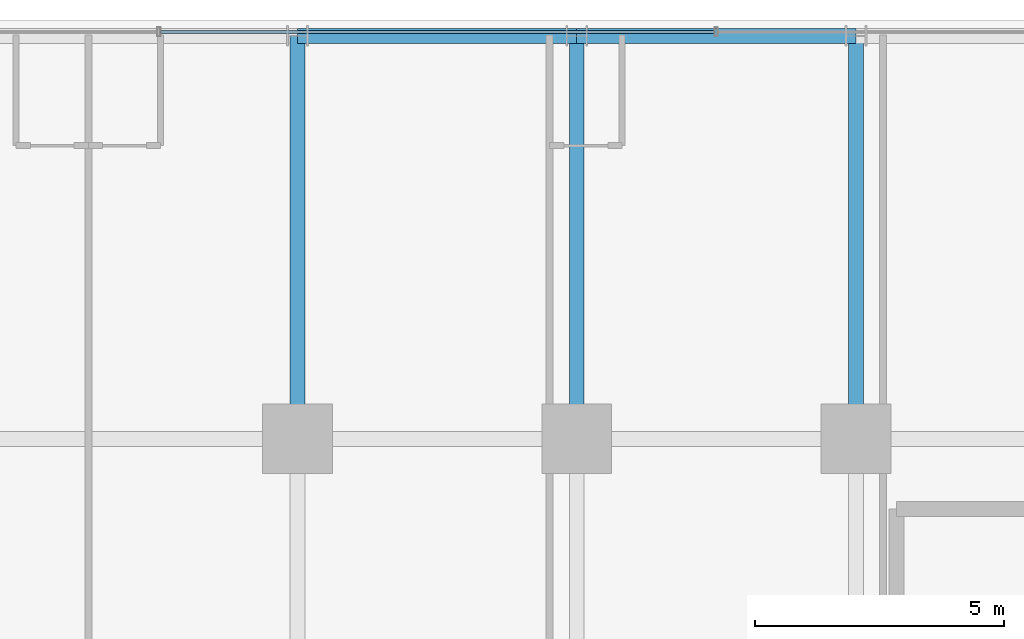
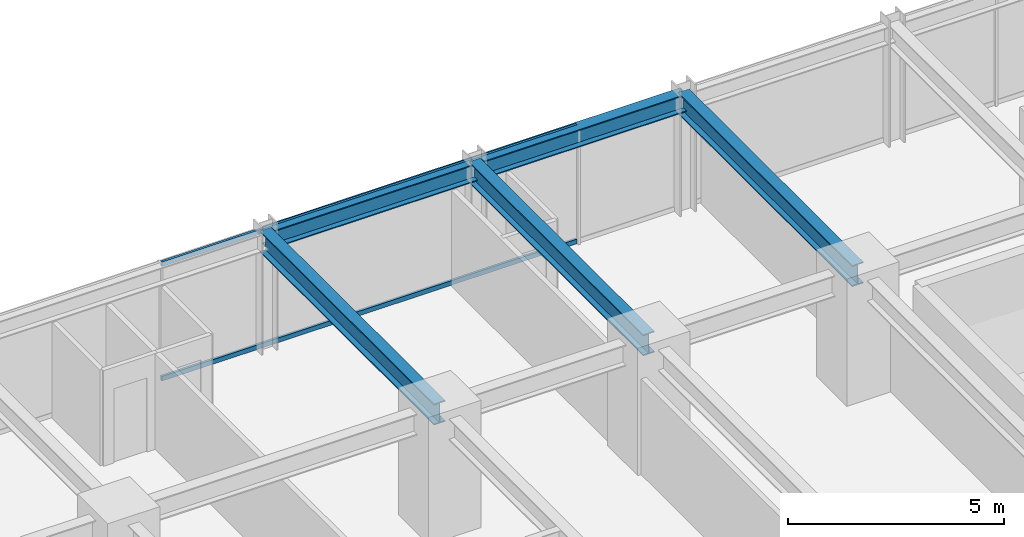
# One storey, part 22 of 36: 5 beams, 2 members, 1 element without a shape of its own.
"""IFC4 building model written with IfcOpenShell, lengths in metres."""

from ifc_helpers import new_model, si_unit, direction, frame, origin, origin_2d, place, context, subcontext, project, spatial, hollow_rectangle, i_section, extrude, source, transform, mapped, material, material_profile, profile_set, type_object, element, aggregate, save


model = new_model("IFC4")

# Units and contexts
model_context = context("Model", 3, precision=1e-05, world=origin(), true_north=direction((0.0, 1.0)))
body_context = subcontext(model_context, "Body", "Model", "MODEL_VIEW")
ifc_project = project(units=[si_unit("LENGTHUNIT", "METRE"), si_unit("AREAUNIT", "SQUARE_METRE"), si_unit("VOLUMEUNIT", "CUBIC_METRE"), si_unit("PLANEANGLEUNIT", "RADIAN"), si_unit("MASSUNIT", "GRAM", prefix="KILO")], contexts=[model_context])

# Site, building, storey
site_placement = place(None, origin())
site = spatial("IfcSite", under=ifc_project, at=site_placement, CompositionType="ELEMENT")
building_placement = place(site_placement, origin())
building = spatial("IfcBuilding", under=site, at=building_placement, Name="Nahalor Promenade Grand Hotel", CompositionType="ELEMENT")
storey_placement = place(building_placement, frame((0.0, 0.0, 72.550048828125)))
storey = spatial("IfcBuildingStorey", under=building, at=storey_placement, Name="L17", CompositionType="ELEMENT", Elevation=72.550048828125)

# Beams
ifc_material_1 = material(Name="Steel S355JR", Category="steel")
ifc_material_profile_1 = material_profile(ifc_material_1, i_section(OverallWidth=0.3, OverallDepth=0.5, WebThickness=0.0145, FlangeThickness=0.028, at=origin_2d()), Name="HEB 500")
ifc_profile_set_1 = profile_set([ifc_material_profile_1], Name="Steel S355JR")
beam_type_1 = type_object("IfcBeamType", Name="Beam-Spandrel-HEB500", PredefinedType="SPANDREL", material=ifc_profile_set_1)
shared_shape_1 = source(origin(), body_context, "Body", "SweptSolid", [
    extrude(i_section(OverallWidth=0.3, OverallDepth=0.5, WebThickness=0.0145, FlangeThickness=0.028, at=origin_2d()), origin(), (0.0, 0.0, 1.0), 5.599853515625),
])
beam_1_placement = place(storey_placement, frame((-8.39990234375, 25.080078125, 3.119873046875), z_axis=(1.0, 0.0, 0.0), x_axis=(0.0, 1.0, 0.0)))
element("IfcBeam", 1, at=beam_1_placement, inside=storey, type_object=beam_type_1, Name="BM-L17-SP-N-1", PredefinedType="SPANDREL", context=body_context, shape_type="MappedRepresentation", body=[
    mapped(shared_shape_1, transform((0.0, 0.0, 0.0), scale=1.0)),
])
shared_shape_2 = source(origin(), body_context, "Body", "SweptSolid", [
    extrude(i_section(OverallWidth=0.3, OverallDepth=0.5, WebThickness=0.0145, FlangeThickness=0.028, at=origin_2d()), origin(), (0.0, 0.0, 1.0), 5.60009765625),
])
beam_2_placement = place(storey_placement, frame((-2.800048828125, 25.080078125, 3.119873046875), z_axis=(1.0, 0.0, 0.0), x_axis=(0.0, 1.0, 0.0)))
element("IfcBeam", 2, at=beam_2_placement, inside=storey, type_object=beam_type_1, Name="BM-L17-SP-N-2", PredefinedType="SPANDREL", context=body_context, shape_type="MappedRepresentation", body=[
    mapped(shared_shape_2, transform((0.0, 0.0, 0.0), scale=1.0)),
])
ifc_material_profile_2 = material_profile(ifc_material_1, i_section(OverallWidth=0.3, OverallDepth=0.6, WebThickness=0.0155, FlangeThickness=0.03, at=origin_2d()), Name="HEB 600")
ifc_profile_set_2 = profile_set([ifc_material_profile_2], Name="Steel S355JR")
beam_type_2 = type_object("IfcBeamType", Name="Beam-Girder-HEB600", PredefinedType="BEAM", material=ifc_profile_set_2)
shared_shape_3 = source(origin(), body_context, "Body", "SweptSolid", [
    extrude(i_section(OverallWidth=0.3, OverallDepth=0.6, WebThickness=0.0155, FlangeThickness=0.03, at=origin_2d()), origin(), (0.0, 0.0, 1.0), 8.080078125),
])
for number, where, z_axis, x_axis, name in (
    (3, (-8.39990234375, 17.0, 3.070068359375), (0.0, 1.0, 0.0), (-1.0, 0.0, 0.0), "BM-L17-GY-1-4"),
    (4, (-2.800048828125, 17.0, 3.070068359375), (0.0, 1.0, 0.0), (-1.0, 0.0, 0.0), "BM-L17-GY-2-4"),
    (5, (2.800048828125, 17.0, 3.070068359375), (0.0, 1.0, 0.0), (-1.0, 0.0, 0.0), "BM-L17-GY-3-4"),
):
    element("IfcBeam", number, at=place(storey_placement, frame(where, z_axis=z_axis, x_axis=x_axis)), inside=storey, type_object=beam_type_2, Name=name, PredefinedType="BEAM", context=body_context, shape_type="MappedRepresentation", body=[
        mapped(shared_shape_3, transform((0.0, 0.0, 0.0), scale=1.0)),
    ])

# Curtain wall, members
ifc_material_2 = material(Name="Anodised Bronze Aluminium EN AW-6063 T6", Category="aluminium")
curtain_wall_type = type_object("IfcCurtainWallType", Name="CW2 Typical Hotel Flush Bronze Unitised Curtain Wall", PredefinedType="USERDEFINED", material=ifc_material_2)
curtain_wall_placement = place(storey_placement, origin())
curtain_wall = element("IfcCurtainWall", 6, at=curtain_wall_placement, inside=storey, type_object=curtain_wall_type, Name="L17 Curtain Wall CW-L17-N-1", ObjectType="UNITISED_CURTAIN_WALL", PredefinedType="USERDEFINED")
ifc_material_profile_3 = material_profile(ifc_material_2, hollow_rectangle(XDim=0.065, YDim=0.13, WallThickness=0.004, at=origin_2d()), Name="CWT 65x130x4")
ifc_profile_set_3 = profile_set([ifc_material_profile_3], Name="Anodised Bronze Aluminium EN AW-6063 T6")
member_type = type_object("IfcMemberType", Name="CWT2 Typical Bronze Transom 65x130", PredefinedType="USERDEFINED", material=ifc_profile_set_3)
shared_shape_4 = source(origin(), body_context, "Body", "SweptSolid", [
    extrude(hollow_rectangle(XDim=0.065, YDim=0.13, WallThickness=0.004, at=origin_2d()), origin(), (0.0, 0.0, 1.0), 11.114990234375),
])
member_1_placement = place(storey_placement, frame((-11.1474609375, 25.159912109375, 0.06494140625), z_axis=(1.0, 0.0, 0.0), x_axis=(0.0, 1.0, 0.0)))
member_1 = element("IfcMember", 7, at=member_1_placement, type_object=member_type, Name="CW-L17-N-1 Transom 1-0", ObjectType="TRANSOM", PredefinedType="USERDEFINED", context=body_context, shape_type="MappedRepresentation", body=[
    mapped(shared_shape_4, transform((0.0, 0.0, 0.0), scale=1.0)),
])
member_2_placement = place(storey_placement, frame((-11.1474609375, 25.159912109375, 3.304931640625), z_axis=(1.0, 0.0, 0.0), x_axis=(0.0, 1.0, 0.0)))
member_2 = element("IfcMember", 8, at=member_2_placement, type_object=member_type, Name="CW-L17-N-1 Transom 1-1", ObjectType="TRANSOM", PredefinedType="USERDEFINED", context=body_context, shape_type="MappedRepresentation", body=[
    mapped(shared_shape_4, transform((0.0, 0.0, 0.0), scale=1.0)),
])
aggregate(curtain_wall, [member_1, member_2])

save(model, "model.ifc")
